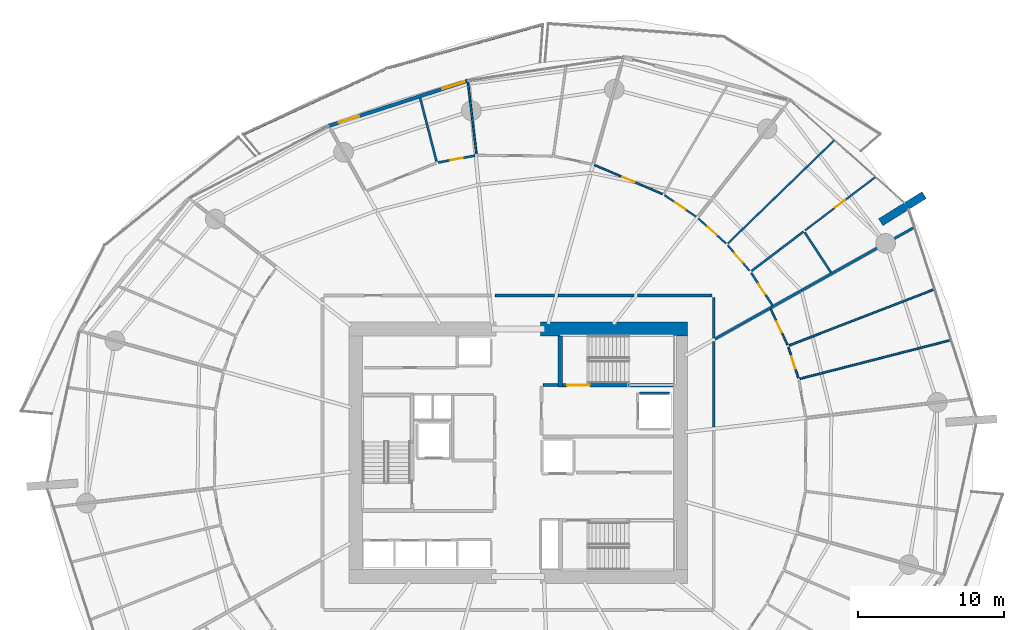
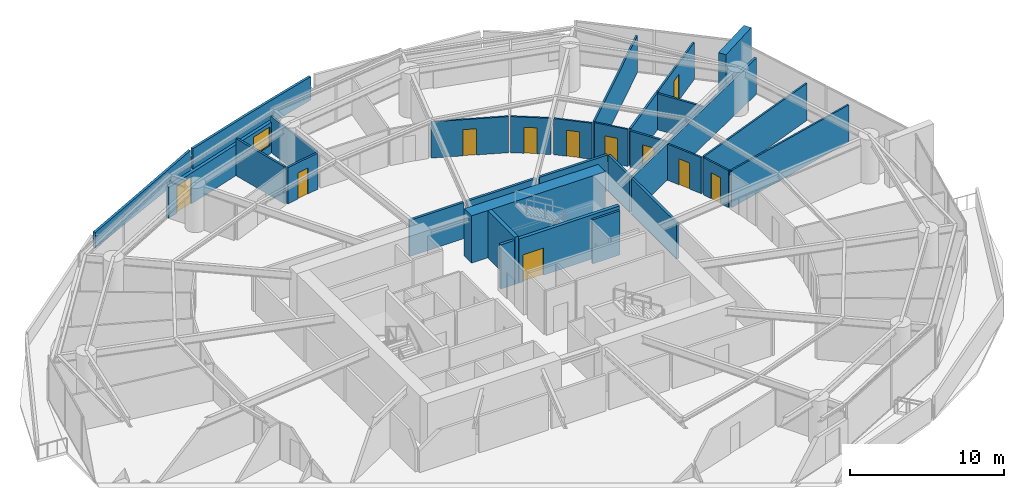
# One storey, part 23 of 31: 31 walls, 11 doors, 1 window, 12 openings.
"""IFC4 building model written with IfcOpenShell, lengths in metres."""

from ifc_helpers import new_model, si_unit, direction, frame, frame_2d, origin, place, context, subcontext, project, spatial, polyline, rectangle, outline, extrude, material, layer, layer_set, type_object, element, fill, save


model = new_model("IFC4")

# Units and contexts
model_context = context("Model", 3, precision=1e-05, world=origin(), true_north=direction((0.0, 1.0)))
body_context = subcontext(model_context, "Body", "Model", "MODEL_VIEW")
ifc_project = project(units=[si_unit("LENGTHUNIT", "METRE"), si_unit("AREAUNIT", "SQUARE_METRE"), si_unit("VOLUMEUNIT", "CUBIC_METRE"), si_unit("PLANEANGLEUNIT", "RADIAN"), si_unit("MASSUNIT", "GRAM", prefix="KILO")], contexts=[model_context])

# Site, building, storey
site_placement = place(None, origin())
site = spatial("IfcSite", under=ifc_project, at=site_placement, CompositionType="ELEMENT")
building_placement = place(site_placement, origin())
building = spatial("IfcBuilding", under=site, at=building_placement, Name="Kazma Halo Residences", CompositionType="ELEMENT")
storey_placement = place(building_placement, frame((0.0, 0.0, 33.89990234375)))
storey = spatial("IfcBuildingStorey", under=building, at=storey_placement, Name="L07", CompositionType="ELEMENT", Elevation=33.89990234375)

# Walls
ifc_material_1 = material(Name="White Concrete C50/60 Balustrade", Category="concrete")
ifc_layer_1 = layer(ifc_material_1, 0.179931640625)
ifc_layer_set_1 = layer_set([ifc_layer_1], Name="White Concrete C50/60 Balustrade")
wall_type_1 = type_object("IfcWallType", Name="WL-BAL-WAVE-180", PredefinedType="PARAPET", material=ifc_layer_set_1)
wall_1_placement = place(storey_placement, frame((50.125732421875, 71.298583984375, 0.0), z_axis=(0.0, 0.0, 1.0), x_axis=(-0.962607038131, -0.270901624471, 0.0)))
element("IfcWall", 1, at=wall_1_placement, inside=storey, type_object=wall_type_1, Name="L07 white wave balustrade wall NNW.1", PredefinedType="PARAPET", context=body_context, shape_type="SweptSolid", body=[
    extrude(outline(polyline([(0.0, 0.0), (10.964111328125, 0.0), (10.96435546875, 1.632080078125), (5.482177734375, 1.798095703125), (0.0, 1.860107421875), (0.0, 0.0)])), frame((0.0, 0.08984375, 0.0), z_axis=(0.0, -1.0, 0.0), x_axis=(1.0, 0.0, 0.0)), (0.0, 0.0, 1.0), 0.179931640625),
])
wall_2_placement = place(storey_placement, frame((39.346923828125, 68.24560546875, 0.0), z_axis=(0.0, 0.0, 1.0), x_axis=(-0.908702116292, -0.417445162681, 0.0)))
element("IfcWall", 2, at=wall_2_placement, inside=storey, type_object=wall_type_1, Name="L07 white wave balustrade wall NNW.2", PredefinedType="PARAPET", context=body_context, shape_type="SweptSolid", body=[
    extrude(outline(polyline([(0.0, 0.0), (10.69677734375, 0.0), (10.697021484375, 1.233154296875), (5.348388671875, 1.418212890625), (0.0, 1.632080078125), (0.0, 0.0)])), frame((0.0, 0.08984375, 0.0), z_axis=(0.0, -1.0, 0.0), x_axis=(1.0, 0.0, 0.0)), (0.0, 0.0, 1.0), 0.179931640625),
])
ifc_material_2 = material(Name="Pale Concrete C60/75", Category="concrete")
ifc_layer_2 = layer(ifc_material_2, 0.550048828125)
ifc_layer_set_2 = layer_set([ifc_layer_2], Name="Pale Concrete C60/75")
wall_type_2 = type_object("IfcWallType", Name="WL-BLADE-550", PredefinedType="SOLIDWALL", material=ifc_layer_set_2)
wall_3_placement = place(storey_placement, frame((73.229736328125, 57.765380859375, 0.0), z_axis=(0.0, 0.0, 1.0), x_axis=(0.848053161125, 0.529911158502, 0.0)))
element("IfcWall", 3, at=wall_3_placement, inside=storey, type_object=wall_type_2, Name="L07 pale concrete structural blade fin wall BW-01", PredefinedType="SOLIDWALL", context=body_context, shape_type="SweptSolid", body=[
    extrude(rectangle(XDim=3.5, YDim=0.550048828125, at=frame_2d((1.75, 0.0))), origin(), (0.0, 0.0, 1.0), 3.75),
])
ifc_material_3 = material(Name="Concrete C80/95", Category="concrete")
ifc_layer_3 = layer(ifc_material_3, 0.949951171875)
ifc_layer_set_3 = layer_set([ifc_layer_3], Name="Concrete C80/95")
wall_type_3 = type_object("IfcWallType", Name="WL-CORE-950", PredefinedType="SHEAR", material=ifc_layer_set_3)
wall_4_placement = place(storey_placement, frame((49.949951171875, 50.47509765625, 0.0), z_axis=(0.0, 0.0, 1.0), x_axis=(1.0, 0.0, 0.0)))
element("IfcWall", 4, at=wall_4_placement, inside=storey, type_object=wall_type_3, Name="L07 central core shear wall NE", PredefinedType="SHEAR", context=body_context, shape_type="SweptSolid", body=[
    extrude(rectangle(XDim=10.050048828125, YDim=0.949951171875, at=frame_2d((5.02490234375, 0.0))), origin(), (0.0, 0.0, 1.0), 3.75),
])
ifc_material_4 = material(Name="Concrete C60/75", Category="concrete")
ifc_layer_4 = layer(ifc_material_4, 0.280029296875)
ifc_layer_set_4 = layer_set([ifc_layer_4], Name="Concrete C60/75")
wall_type_4 = type_object("IfcWallType", Name="WL-CORE-ST-280", PredefinedType="SHEAR", material=ifc_layer_set_4)
wall_5_placement = place(storey_placement, frame((51.31005859375, 46.5, 0.0), z_axis=(0.0, 0.0, 1.0), x_axis=(0.0, 1.0, 0.0)))
element("IfcWall", 5, at=wall_5_placement, inside=storey, type_object=wall_type_4, Name="L07 stairwell bearing wall ST02-W", PredefinedType="SHEAR", context=body_context, shape_type="SweptSolid", body=[
    extrude(rectangle(XDim=3.5, YDim=0.280029296875, at=frame_2d((1.75, 0.0))), origin(), (0.0, 0.0, 1.0), 3.75),
])
ifc_material_5 = material(Name="Acoustic Twin-Stud Gypsum")
ifc_layer_5 = layer(ifc_material_5, 0.179931640625)
ifc_layer_set_5 = layer_set([ifc_layer_5], Name="Acoustic Twin-Stud Gypsum")
wall_type_5 = type_object("IfcWallType", Name="WL-DEM-180", PredefinedType="PARTITIONING", material=ifc_layer_set_5)
wall_6_placement = place(storey_placement, frame((61.89599609375, 49.781982421875, 0.0), z_axis=(0.0, 0.0, 1.0), x_axis=(0.872493215695, 0.488626225828, 0.0)))
element("IfcWall", 6, at=wall_6_placement, inside=storey, type_object=wall_type_5, Name="L07 apartment demising radial wall 00", PredefinedType="PARTITIONING", context=body_context, shape_type="SweptSolid", body=[
    extrude(rectangle(XDim=15.612060546875, YDim=0.179931640625, at=frame_2d((7.80615234375, 0.0))), origin(), (0.0, 0.0, 1.0), 2.8671875),
])
wall_7_placement = place(storey_placement, frame((61.800048828125, 49.848388671875, 0.0), z_axis=(0.0, 0.0, 1.0), x_axis=(0.0, 1.0, 0.0)))
element("IfcWall", 7, at=wall_7_placement, inside=storey, type_object=wall_type_5, Name="L07 Apartment 1 inner wall 0", PredefinedType="PARTITIONING", context=body_context, shape_type="SweptSolid", body=[
    extrude(rectangle(XDim=2.781494140625, YDim=0.179931640625, at=frame_2d((1.390625, 0.0))), origin(), (0.0, 0.0, 1.0), 2.8671875),
])
wall_8_placement = place(storey_placement, frame((61.679931640625, 52.75, 0.0), z_axis=(0.0, 0.0, 1.0), x_axis=(-1.0, 0.0, 0.0)))
element("IfcWall", 8, at=wall_8_placement, inside=storey, type_object=wall_type_5, Name="L07 Apartment 1 inner wall 0", PredefinedType="PARTITIONING", context=body_context, shape_type="SweptSolid", body=[
    extrude(rectangle(XDim=5.08544921875, YDim=0.179931640625, at=frame_2d((2.542724609375, 0.0))), origin(), (0.0, 0.0, 1.0), 2.8671875),
])
wall_9_placement = place(storey_placement, frame((56.3544921875, 52.75, 0.0), z_axis=(0.0, 0.0, 1.0), x_axis=(-1.0, 0.0, 0.0)))
element("IfcWall", 9, at=wall_9_placement, inside=storey, type_object=wall_type_5, Name="L07 Apartment 1 inner wall 1", PredefinedType="PARTITIONING", context=body_context, shape_type="SweptSolid", body=[
    extrude(rectangle(XDim=5.20263671875, YDim=0.179931640625, at=frame_2d((2.601318359375, 0.0))), origin(), (0.0, 0.0, 1.0), 2.8671875),
])
wall_10_placement = place(storey_placement, frame((50.911865234375, 52.75, 0.0), z_axis=(0.0, 0.0, 1.0), x_axis=(-1.0, 0.0, 0.0)))
element("IfcWall", 10, at=wall_10_placement, inside=storey, type_object=wall_type_5, Name="L07 Apartment 1 inner wall 2", PredefinedType="PARTITIONING", context=body_context, shape_type="SweptSolid", body=[
    extrude(rectangle(XDim=4.064208984375, YDim=0.179931640625, at=frame_2d((2.0322265625, 0.0))), origin(), (0.0, 0.0, 1.0), 2.8671875),
])
wall_11_placement = place(storey_placement, frame((61.800048828125, 43.75341796875, 0.0), z_axis=(0.0, 0.0, 1.0), x_axis=(0.0, 1.0, 0.0)))
element("IfcWall", 11, at=wall_11_placement, inside=storey, type_object=wall_type_5, Name="L07 Apartment 2 inner wall 15", PredefinedType="PARTITIONING", context=body_context, shape_type="SweptSolid", body=[
    extrude(rectangle(XDim=5.85498046875, YDim=0.179931640625, at=frame_2d((2.927490234375, 0.0))), origin(), (0.0, 0.0, 1.0), 2.8671875),
])

# Wall, openings, door, window
ifc_material_6 = material(Name="Insulated Pale-Metal Composite Wall")
ifc_layer_6 = layer(ifc_material_6, 0.239990234375)
ifc_layer_set_6 = layer_set([ifc_layer_6], Name="Insulated Pale-Metal Composite Wall")
wall_type_6 = type_object("IfcWallType", Name="WL-EXT-HOST-240", PredefinedType="SOLIDWALL", material=ifc_layer_set_6)
wall_12_placement = place(storey_placement, frame((45.0361328125, 67.45849609375, 0.0), z_axis=(0.0, 0.0, 1.0), x_axis=(-0.951054679225, -0.309022648238, 0.0)))
wall_12 = element("IfcWall", 12, at=wall_12_placement, inside=storey, type_object=wall_type_6, Name="L07 exterior terrace-access wall B04", PredefinedType="SOLIDWALL", context=body_context, shape_type="SweptSolid", body=[
    extrude(rectangle(XDim=10.0966796875, YDim=0.239990234375, at=frame_2d((5.04833984375, 0.0))), origin(), (0.0, 0.0, 1.0), 2.4501953125),
])
opening_1_placement = place(wall_12_placement, frame((7.876708984375, 0.0, 0.0)))
opening_1 = element("IfcOpeningElement", 13, at=opening_1_placement, cuts=wall_12, Name="Opening DTR-1600", PredefinedType="OPENING", context=body_context, shape_type="SweptSolid", body=[
    extrude(rectangle(XDim=1.449951171875, YDim=2.14990234375, at=frame_2d((0.72509765625, 1.074951171875))), frame((0.0, 0.1298828125, 0.0), z_axis=(0.0, -1.0, 0.0), x_axis=(1.0, 0.0, 0.0)), (0.0, 0.0, 1.0), 0.260009765625),
])
opening_2_placement = place(wall_12_placement, frame((0.280029296875, 0.0, 0.64990234375)))
opening_2 = element("IfcOpeningElement", 14, at=opening_2_placement, cuts=wall_12, Name="Opening W-1800", PredefinedType="OPENING", context=body_context, shape_type="SweptSolid", body=[
    extrude(rectangle(XDim=1.60009765625, YDim=1.5, at=frame_2d((0.800048828125, 0.75))), frame((0.0, 0.1298828125, 0.0), z_axis=(0.0, -1.0, 0.0), x_axis=(1.0, 0.0, 0.0)), (0.0, 0.0, 1.0), 0.260009765625),
])
ifc_material_7 = material(Name="Aluminium AW-6063 T6 Double-Glazed Terrace Door", Category="aluminium")
door_type_1 = type_object("IfcDoorType", Name="DR-EXT-TERR-1600", OperationType="NOTDEFINED", PredefinedType="DOOR", material=ifc_material_7)
door_1_placement = place(opening_1_placement, origin())
door_1 = element("IfcDoor", 15, at=door_1_placement, inside=storey, type_object=door_type_1, Name="L07 B04 balcony terrace door", OperationType="DOUBLE_DOOR_SLIDING", OverallHeight=2.14990234375, OverallWidth=1.449951171875, PredefinedType="DOOR", context=body_context, shape_type="SweptSolid", body=[
    extrude(rectangle(XDim=1.449951171875, YDim=2.14990234375, at=frame_2d((0.72509765625, 1.074951171875))), frame((0.0, 0.02490234375, 0.0), z_axis=(0.0, -1.0, 0.0), x_axis=(1.0, 0.0, 0.0)), (0.0, 0.0, 1.0), 0.050048828125),
])
fill(opening_1, door_1)
ifc_material_8 = material(Name="Clear Triple-Silver Low-E Glass in Aluminium AW-6063 T6 Frame", Category="aluminium")
window_type = type_object("IfcWindowType", Name="WIN-RES-1800", PartitioningType="DOUBLE_PANEL_VERTICAL", PredefinedType="WINDOW", material=ifc_material_8)
window_placement = place(opening_2_placement, origin())
window = element("IfcWindow", 16, at=window_placement, inside=storey, type_object=window_type, Name="L07 B04 apartment window", OverallHeight=1.5, OverallWidth=1.60009765625, PartitioningType="SINGLE_PANEL", PredefinedType="WINDOW", context=body_context, shape_type="SweptSolid", body=[
    extrude(rectangle(XDim=1.60009765625, YDim=1.5, at=frame_2d((0.800048828125, 0.75))), frame((0.0, 0.030029296875, 0.0), z_axis=(0.0, -1.0, 0.0), x_axis=(1.0, 0.0, 0.0)), (0.0, 0.0, 1.0), 0.06005859375),
])
fill(opening_2, window)

# Walls
ifc_material_9 = material(Name="Fire-Rated Blockwork Masonry", Category="masonry")
ifc_layer_7 = layer(ifc_material_9, 0.199951171875)
ifc_layer_set_7 = layer_set([ifc_layer_7], Name="Fire-Rated Blockwork Masonry")
wall_type_7 = type_object("IfcWallType", Name="WL-FLB-200", PredefinedType="PARTITIONING", material=ifc_layer_set_7)
wall_13_placement = place(storey_placement, frame((56.719970703125, 46.080078125, 0.0), z_axis=(0.0, 0.0, 1.0), x_axis=(1.0, 0.0, 0.0)))
element("IfcWall", 17, at=wall_13_placement, inside=storey, type_object=wall_type_7, Name="L07 lift shaft FL-02 side wall N", PredefinedType="PARTITIONING", context=body_context, shape_type="SweptSolid", body=[
    extrude(rectangle(XDim=2.06005859375, YDim=0.159912109375, at=frame_2d((1.030029296875, 0.0))), origin(), (0.0, 0.0, 1.0), 3.5),
])
wall_14_placement = place(storey_placement, frame((50.139892578125, 46.6201171875, 0.0), z_axis=(0.0, 0.0, 1.0), x_axis=(1.0, 0.0, 0.0)))
element("IfcWall", 18, at=wall_14_placement, inside=storey, type_object=wall_type_7, Name="L07 east firefighting lobby north closure wall", PredefinedType="PARTITIONING", context=body_context, shape_type="SweptSolid", body=[
    extrude(rectangle(XDim=1.02001953125, YDim=0.199951171875, at=frame_2d((0.510009765625, 0.0))), origin(), (0.0, 0.0, 1.0), 3.5),
])

# Wall, opening, door
ifc_material_10 = material(Name="Gypsum Plasterboard Partition")
ifc_layer_8 = layer(ifc_material_10, 0.125)
ifc_layer_set_8 = layer_set([ifc_layer_8], Name="Gypsum Plasterboard Partition")
wall_type_8 = type_object("IfcWallType", Name="WL-PART-125", PredefinedType="PARTITIONING", material=ifc_layer_set_8)
wall_15_placement = place(storey_placement, frame((68.051025390625, 57.203125, 0.0), z_axis=(0.0, 0.0, 1.0), x_axis=(0.796847589026, 0.604180370307, 0.0)))
wall_15 = element("IfcWall", 19, at=wall_15_placement, inside=storey, type_object=wall_type_8, Name="L07 Apartment 1 Utility Laundry Room partition wall", PredefinedType="PARTITIONING", context=body_context, shape_type="SweptSolid", body=[
    extrude(rectangle(XDim=6.01513671875, YDim=0.125, at=frame_2d((3.007568359375, 0.0))), origin(), (0.0, 0.0, 1.0), 2.940185546875),
])
opening_3_placement = place(wall_15_placement, frame((2.58251953125, 0.0, 0.0)))
opening_3 = element("IfcOpeningElement", 20, at=opening_3_placement, cuts=wall_15, Name="Opening DB-900", PredefinedType="OPENING", context=body_context, shape_type="SweptSolid", body=[
    extrude(rectangle(XDim=0.85009765625, YDim=2.06005859375, at=frame_2d((0.425048828125, 1.030029296875))), frame((0.0, 0.072509765625, 0.0), z_axis=(0.0, -1.0, 0.0), x_axis=(1.0, 0.0, 0.0)), (0.0, 0.0, 1.0), 0.14501953125),
])
ifc_material_11 = material(Name="Moisture-Sealed Timber Leaf", Category="wood")
door_type_2 = type_object("IfcDoorType", Name="DR-BTH-900", OperationType="NOTDEFINED", PredefinedType="DOOR", material=ifc_material_11)
door_2_placement = place(opening_3_placement, origin())
door_2 = element("IfcDoor", 21, at=door_2_placement, inside=storey, type_object=door_type_2, Name="L07 Apartment 1 Utility Laundry Room door", OperationType="SINGLE_SWING_LEFT", OverallHeight=2.06005859375, OverallWidth=0.85009765625, PredefinedType="DOOR", context=body_context, shape_type="SweptSolid", body=[
    extrude(rectangle(XDim=0.85009765625, YDim=2.06005859375, at=frame_2d((0.425048828125, 1.030029296875))), frame((0.0, 0.02490234375, 0.0), z_axis=(0.0, -1.0, 0.0), x_axis=(1.0, 0.0, 0.0)), (0.0, 0.0, 1.0), 0.050048828125),
])
fill(opening_3, door_2)

# Wall
wall_16_placement = place(storey_placement, frame((62.775146484375, 56.31591796875, 0.0), z_axis=(0.0, 0.0, 1.0), x_axis=(0.718182919159, 0.695854363088, 0.0)))
element("IfcWall", 22, at=wall_16_placement, inside=storey, type_object=wall_type_8, Name="L07 Apartment 1 suite divider 0", PredefinedType="PARTITIONING", context=body_context, shape_type="SweptSolid", body=[
    extrude(rectangle(XDim=10.114013671875, YDim=0.125, at=frame_2d((5.05712890625, 0.0))), origin(), (0.0, 0.0, 1.0), 2.940185546875),
])

# Wall, opening, door
wall_17_placement = place(storey_placement, frame((64.26318359375, 54.44384765625, 0.0), z_axis=(0.0, 0.0, 1.0), x_axis=(-0.651227570151, 0.758882502022, 0.0)))
wall_17 = element("IfcWall", 23, at=wall_17_placement, inside=storey, type_object=wall_type_8, Name="L07 Apartment 1 Gourmet Kitchen hall wall", PredefinedType="PARTITIONING", context=body_context, shape_type="SweptSolid", body=[
    extrude(rectangle(XDim=2.30419921875, YDim=0.125, at=frame_2d((1.152099609375, 0.0))), origin(), (0.0, 0.0, 1.0), 2.940185546875),
])
opening_4_placement = place(wall_17_placement, frame((0.72705078125, 0.0, 0.0)))
opening_4 = element("IfcOpeningElement", 24, at=opening_4_placement, cuts=wall_17, Name="Opening DB-900", PredefinedType="OPENING", context=body_context, shape_type="SweptSolid", body=[
    extrude(rectangle(XDim=0.85009765625, YDim=2.06005859375, at=frame_2d((0.425048828125, 1.030029296875))), frame((0.0, 0.072509765625, 0.0), z_axis=(0.0, -1.0, 0.0), x_axis=(1.0, 0.0, 0.0)), (0.0, 0.0, 1.0), 0.14501953125),
])
door_3_placement = place(opening_4_placement, origin())
door_3 = element("IfcDoor", 25, at=door_3_placement, inside=storey, type_object=door_type_2, Name="L07 Apartment 1 Gourmet Kitchen door", OperationType="SINGLE_SWING_RIGHT", OverallHeight=2.06005859375, OverallWidth=0.85009765625, PredefinedType="DOOR", context=body_context, shape_type="SweptSolid", body=[
    extrude(rectangle(XDim=0.85009765625, YDim=2.06005859375, at=frame_2d((0.425048828125, 1.030029296875))), frame((0.0, 0.02490234375, 0.0), z_axis=(0.0, -1.0, 0.0), x_axis=(1.0, 0.0, 0.0)), (0.0, 0.0, 1.0), 0.050048828125),
])
fill(opening_4, door_3)

wall_18_placement = place(storey_placement, frame((62.651123046875, 56.306884765625, 0.0), z_axis=(0.0, 0.0, 1.0), x_axis=(-0.742266720662, 0.670104555571, 0.0)))
wall_18 = element("IfcWall", 26, at=wall_18_placement, inside=storey, type_object=wall_type_8, Name="L07 Apartment 1 Primary Bedroom hall wall", PredefinedType="PARTITIONING", context=body_context, shape_type="SweptSolid", body=[
    extrude(rectangle(XDim=2.554443359375, YDim=0.125, at=frame_2d((1.27734375, 0.0))), origin(), (0.0, 0.0, 1.0), 2.8671875),
])
opening_5_placement = place(wall_18_placement, frame((0.852294921875, 0.0, 0.0)))
opening_5 = element("IfcOpeningElement", 27, at=opening_5_placement, cuts=wall_18, Name="Opening DB-900", PredefinedType="OPENING", context=body_context, shape_type="SweptSolid", body=[
    extrude(rectangle(XDim=0.85009765625, YDim=2.06005859375, at=frame_2d((0.425048828125, 1.030029296875))), frame((0.0, 0.072509765625, 0.0), z_axis=(0.0, -1.0, 0.0), x_axis=(1.0, 0.0, 0.0)), (0.0, 0.0, 1.0), 0.14501953125),
])
door_4_placement = place(opening_5_placement, origin())
door_4 = element("IfcDoor", 28, at=door_4_placement, inside=storey, type_object=door_type_2, Name="L07 Apartment 1 Primary Bedroom door", OperationType="SINGLE_SWING_LEFT", OverallHeight=2.06005859375, OverallWidth=0.85009765625, PredefinedType="DOOR", context=body_context, shape_type="SweptSolid", body=[
    extrude(rectangle(XDim=0.85009765625, YDim=2.06005859375, at=frame_2d((0.425048828125, 1.030029296875))), frame((0.0, 0.02490234375, 0.0), z_axis=(0.0, -1.0, 0.0), x_axis=(1.0, 0.0, 0.0)), (0.0, 0.0, 1.0), 0.050048828125),
])
fill(opening_5, door_4)

wall_19_placement = place(storey_placement, frame((60.598388671875, 58.14208984375, 0.0), z_axis=(0.0, 0.0, 1.0), x_axis=(-0.82573951311, 0.56405164346, 0.0)))
wall_19 = element("IfcWall", 29, at=wall_19_placement, inside=storey, type_object=wall_type_8, Name="L07 Apartment 1 East Wine Pantry Store hall wall", PredefinedType="PARTITIONING", context=body_context, shape_type="SweptSolid", body=[
    extrude(rectangle(XDim=2.616943359375, YDim=0.125, at=frame_2d((1.30859375, 0.0))), origin(), (0.0, 0.0, 1.0), 2.8671875),
])
opening_6_placement = place(wall_19_placement, frame((0.883544921875, 0.0, 0.0)))
opening_6 = element("IfcOpeningElement", 30, at=opening_6_placement, cuts=wall_19, Name="Opening DB-900", PredefinedType="OPENING", context=body_context, shape_type="SweptSolid", body=[
    extrude(rectangle(XDim=0.85009765625, YDim=2.06005859375, at=frame_2d((0.425048828125, 1.030029296875))), frame((0.0, 0.072509765625, 0.0), z_axis=(0.0, -1.0, 0.0), x_axis=(1.0, 0.0, 0.0)), (0.0, 0.0, 1.0), 0.14501953125),
])
door_5_placement = place(opening_6_placement, origin())
door_5 = element("IfcDoor", 31, at=door_5_placement, inside=storey, type_object=door_type_2, Name="L07 Apartment 1 East Wine Pantry Store door", OperationType="SINGLE_SWING_LEFT", OverallHeight=2.06005859375, OverallWidth=0.85009765625, PredefinedType="DOOR", context=body_context, shape_type="SweptSolid", body=[
    extrude(rectangle(XDim=0.85009765625, YDim=2.06005859375, at=frame_2d((0.425048828125, 1.030029296875))), frame((0.0, 0.02490234375, 0.0), z_axis=(0.0, -1.0, 0.0), x_axis=(1.0, 0.0, 0.0)), (0.0, 0.0, 1.0), 0.050048828125),
])
fill(opening_6, door_5)

wall_20_placement = place(storey_placement, frame((58.297607421875, 59.694580078125, 0.0), z_axis=(0.0, 0.0, 1.0), x_axis=(-0.919918404985, 0.392109841969, 0.0)))
wall_20 = element("IfcWall", 32, at=wall_20_placement, inside=storey, type_object=wall_type_8, Name="L07 Apartment 1 West Formal Dining Room hall wall", PredefinedType="PARTITIONING", context=body_context, shape_type="SweptSolid", body=[
    extrude(rectangle(XDim=5.05029296875, YDim=0.125, at=frame_2d((2.525146484375, 0.0))), origin(), (0.0, 0.0, 1.0), 2.8671875),
])
opening_7_placement = place(wall_20_placement, frame((2.0751953125, 0.0, 0.0)))
opening_7 = element("IfcOpeningElement", 33, at=opening_7_placement, cuts=wall_20, Name="Opening DI-950", PredefinedType="OPENING", context=body_context, shape_type="SweptSolid", body=[
    extrude(rectangle(XDim=0.89990234375, YDim=2.080078125, at=frame_2d((0.449951171875, 1.0400390625))), frame((0.0, 0.072509765625, 0.0), z_axis=(0.0, -1.0, 0.0), x_axis=(1.0, 0.0, 0.0)), (0.0, 0.0, 1.0), 0.14501953125),
])
ifc_material_12 = material(Name="Timber Veneer Flush Leaf", Category="wood")
door_type_3 = type_object("IfcDoorType", Name="DR-INT-950", OperationType="NOTDEFINED", PredefinedType="DOOR", material=ifc_material_12)
door_6_placement = place(opening_7_placement, origin())
door_6 = element("IfcDoor", 34, at=door_6_placement, inside=storey, type_object=door_type_3, Name="L07 Apartment 1 West Formal Dining Room door", OperationType="SINGLE_SWING_RIGHT", OverallHeight=2.080078125, OverallWidth=0.89990234375, PredefinedType="DOOR", context=body_context, shape_type="SweptSolid", body=[
    extrude(rectangle(XDim=0.89990234375, YDim=2.080078125, at=frame_2d((0.449951171875, 1.0400390625))), frame((0.0, 0.02490234375, 0.0), z_axis=(0.0, -1.0, 0.0), x_axis=(1.0, 0.0, 0.0)), (0.0, 0.0, 1.0), 0.050048828125),
])
fill(opening_7, door_6)

# Walls
wall_21_placement = place(storey_placement, frame((45.580810546875, 62.440185546875, 0.0), z_axis=(0.0, 0.0, 1.0), x_axis=(-0.117522242016, 0.993070250602, 0.0)))
element("IfcWall", 35, at=wall_21_placement, inside=storey, type_object=wall_type_8, Name="L07 Apartment 1 radial partition 3", PredefinedType="PARTITIONING", context=body_context, shape_type="SweptSolid", body=[
    extrude(rectangle(XDim=5.0126953125, YDim=0.125, at=frame_2d((2.50634765625, 0.0))), origin(), (0.0, 0.0, 1.0), 2.8671875),
])
wall_22_placement = place(storey_placement, frame((67.703857421875, 47.05908203125, 0.0), z_axis=(0.0, 0.0, 1.0), x_axis=(0.968581650893, 0.248695769071, 0.0)))
element("IfcWall", 36, at=wall_22_placement, inside=storey, type_object=wall_type_8, Name="L07 Apartment 2 bay wall 1 15", PredefinedType="PARTITIONING", context=body_context, shape_type="SweptSolid", body=[
    extrude(rectangle(XDim=10.650390625, YDim=0.125, at=frame_2d((5.3251953125, 0.0))), origin(), (0.0, 0.0, 1.0), 2.940185546875),
])
wall_23_placement = place(storey_placement, frame((66.97265625, 49.340087890625, 0.0), z_axis=(0.0, 0.0, 1.0), x_axis=(0.93264336061, 0.360799614621, 0.0)))
element("IfcWall", 37, at=wall_23_placement, inside=storey, type_object=wall_type_8, Name="L07 Apartment 2 bay wall 2 15", PredefinedType="PARTITIONING", context=body_context, shape_type="SweptSolid", body=[
    extrude(rectangle(XDim=10.6357421875, YDim=0.125, at=frame_2d((5.31787109375, 0.0))), origin(), (0.0, 0.0, 1.0), 2.940185546875),
])

# Wall, opening, door
wall_24_placement = place(storey_placement, frame((67.59228515625, 47.11279296875, 0.0), z_axis=(0.0, 0.0, 1.0), x_axis=(-0.305309270218, 0.952253248626, 0.0)))
wall_24 = element("IfcWall", 38, at=wall_24_placement, inside=storey, type_object=wall_type_8, Name="L07 Apartment 2 East Dressing Wardrobe hall wall", PredefinedType="PARTITIONING", context=body_context, shape_type="SweptSolid", body=[
    extrude(rectangle(XDim=2.224609375, YDim=0.125, at=frame_2d((1.1123046875, 0.0))), origin(), (0.0, 0.0, 1.0), 2.940185546875),
])
opening_8_placement = place(wall_24_placement, frame((0.687255859375, 0.0, 0.0)))
opening_8 = element("IfcOpeningElement", 39, at=opening_8_placement, cuts=wall_24, Name="Opening DB-900", PredefinedType="OPENING", context=body_context, shape_type="SweptSolid", body=[
    extrude(rectangle(XDim=0.85009765625, YDim=2.06005859375, at=frame_2d((0.425048828125, 1.030029296875))), frame((0.0, 0.072509765625, 0.0), z_axis=(0.0, -1.0, 0.0), x_axis=(1.0, 0.0, 0.0)), (0.0, 0.0, 1.0), 0.14501953125),
])
door_7_placement = place(opening_8_placement, origin())
door_7 = element("IfcDoor", 40, at=door_7_placement, inside=storey, type_object=door_type_2, Name="L07 Apartment 2 East Dressing Wardrobe door", OperationType="SINGLE_SWING_LEFT", OverallHeight=2.06005859375, OverallWidth=0.85009765625, PredefinedType="DOOR", context=body_context, shape_type="SweptSolid", body=[
    extrude(rectangle(XDim=0.85009765625, YDim=2.06005859375, at=frame_2d((0.425048828125, 1.030029296875))), frame((0.0, 0.02490234375, 0.0), z_axis=(0.0, -1.0, 0.0), x_axis=(1.0, 0.0, 0.0)), (0.0, 0.0, 1.0), 0.050048828125),
])
fill(opening_8, door_7)

wall_25_placement = place(storey_placement, frame((66.8544921875, 49.3798828125, 0.0), z_axis=(0.0, 0.0, 1.0), x_axis=(-0.425714313245, 0.904857626093, 0.0)))
wall_25 = element("IfcWall", 41, at=wall_25_placement, inside=storey, type_object=wall_type_8, Name="L07 Apartment 2 West Master Bedroom hall wall", PredefinedType="PARTITIONING", context=body_context, shape_type="SweptSolid", body=[
    extrude(rectangle(XDim=2.700439453125, YDim=0.125, at=frame_2d((1.35009765625, 0.0))), origin(), (0.0, 0.0, 1.0), 2.8671875),
])
opening_9_placement = place(wall_25_placement, frame((0.92529296875, 0.0, 0.0)))
opening_9 = element("IfcOpeningElement", 42, at=opening_9_placement, cuts=wall_25, Name="Opening DB-900", PredefinedType="OPENING", context=body_context, shape_type="SweptSolid", body=[
    extrude(rectangle(XDim=0.85009765625, YDim=2.06005859375, at=frame_2d((0.425048828125, 1.030029296875))), frame((0.0, 0.072509765625, 0.0), z_axis=(0.0, -1.0, 0.0), x_axis=(1.0, 0.0, 0.0)), (0.0, 0.0, 1.0), 0.14501953125),
])
door_8_placement = place(opening_9_placement, origin())
door_8 = element("IfcDoor", 43, at=door_8_placement, inside=storey, type_object=door_type_2, Name="L07 Apartment 2 West Master Bedroom door", OperationType="SINGLE_SWING_RIGHT", OverallHeight=2.06005859375, OverallWidth=0.85009765625, PredefinedType="DOOR", context=body_context, shape_type="SweptSolid", body=[
    extrude(rectangle(XDim=0.85009765625, YDim=2.06005859375, at=frame_2d((0.425048828125, 1.030029296875))), frame((0.0, 0.02490234375, 0.0), z_axis=(0.0, -1.0, 0.0), x_axis=(1.0, 0.0, 0.0)), (0.0, 0.0, 1.0), 0.050048828125),
])
fill(opening_9, door_8)

ifc_material_13 = material(Name="Concrete C50/60", Category="concrete")
ifc_layer_9 = layer(ifc_material_13, 0.25)
ifc_layer_set_9 = layer_set([ifc_layer_9], Name="Concrete C50/60")
wall_type_9 = type_object("IfcWallType", Name="WL-SHF-250", PredefinedType="SOLIDWALL", material=ifc_layer_set_9)
wall_26_placement = place(storey_placement, frame((51.47998046875, 46.6201171875, 0.0), z_axis=(0.0, 0.0, 1.0), x_axis=(1.0, 0.0, 0.0)))
wall_26 = element("IfcWall", 44, at=wall_26_placement, inside=storey, type_object=wall_type_9, Name="L07 exit stair ST-02 enclosure wall", PredefinedType="SOLIDWALL", context=body_context, shape_type="SweptSolid", body=[
    extrude(rectangle(XDim=7.5400390625, YDim=0.25, at=frame_2d((3.77001953125, 0.0))), origin(), (0.0, 0.0, 1.0), 3.5),
])
opening_10_placement = place(wall_26_placement, frame((0.300048828125, 0.0, 0.0)))
opening_10 = element("IfcOpeningElement", 45, at=opening_10_placement, cuts=wall_26, Name="Opening D-ST2", PredefinedType="OPENING", context=body_context, shape_type="SweptSolid", body=[
    extrude(rectangle(XDim=1.550048828125, YDim=2.14990234375, at=frame_2d((0.77490234375, 1.074951171875))), frame((0.0, 0.135009765625, 0.0), z_axis=(0.0, -1.0, 0.0), x_axis=(1.0, 0.0, 0.0)), (0.0, 0.0, 1.0), 0.27001953125),
])
ifc_material_14 = material(Name="Fire-Rated Double Steel Leaf", Category="steel")
door_type_4 = type_object("IfcDoorType", Name="DR-FD90-1550", OperationType="NOTDEFINED", PredefinedType="DOOR", material=ifc_material_14)
door_9_placement = place(opening_10_placement, origin())
door_9 = element("IfcDoor", 46, at=door_9_placement, inside=storey, type_object=door_type_4, Name="L07 exit stair ST-02 fire door", OperationType="DOUBLE_DOOR_SINGLE_SWING", OverallHeight=2.14990234375, OverallWidth=1.550048828125, PredefinedType="DOOR", context=body_context, shape_type="SweptSolid", body=[
    extrude(rectangle(XDim=1.550048828125, YDim=2.14990234375, at=frame_2d((0.77490234375, 1.074951171875))), frame((0.0, 0.02490234375, 0.0), z_axis=(0.0, -1.0, 0.0), x_axis=(1.0, 0.0, 0.0)), (0.0, 0.0, 1.0), 0.050048828125),
])
fill(opening_10, door_9)

ifc_material_15 = material(Name="Moisture-Resistant Gypsum")
ifc_layer_10 = layer(ifc_material_15, 0.14990234375)
ifc_layer_set_10 = layer_set([ifc_layer_10], Name="Moisture-Resistant Gypsum")
wall_type_10 = type_object("IfcWallType", Name="WL-WET-150", PredefinedType="PARTITIONING", material=ifc_layer_set_10)
wall_27_placement = place(storey_placement, frame((65.81640625, 52.092041015625, 0.0), z_axis=(0.0, 0.0, 1.0), x_axis=(-0.547635625156, 0.836716930664, 0.0)))
wall_27 = element("IfcWall", 47, at=wall_27_placement, inside=storey, type_object=wall_type_10, Name="L07 Apartment 1 Guest Bathroom hall wall", PredefinedType="PARTITIONING", context=body_context, shape_type="SweptSolid", body=[
    extrude(rectangle(XDim=2.63916015625, YDim=0.14990234375, at=frame_2d((1.319580078125, 0.0))), origin(), (0.0, 0.0, 1.0), 2.8671875),
])
opening_11_placement = place(wall_27_placement, frame((0.89453125, 0.0, 0.0)))
opening_11 = element("IfcOpeningElement", 48, at=opening_11_placement, cuts=wall_27, Name="Opening DB-900", PredefinedType="OPENING", context=body_context, shape_type="SweptSolid", body=[
    extrude(rectangle(XDim=0.85009765625, YDim=2.06005859375, at=frame_2d((0.425048828125, 1.030029296875))), frame((0.0, 0.0849609375, 0.0), z_axis=(0.0, -1.0, 0.0), x_axis=(1.0, 0.0, 0.0)), (0.0, 0.0, 1.0), 0.169921875),
])
door_10_placement = place(opening_11_placement, origin())
door_10 = element("IfcDoor", 49, at=door_10_placement, inside=storey, type_object=door_type_2, Name="L07 Apartment 1 Guest Bathroom door", OperationType="SINGLE_SWING_RIGHT", OverallHeight=2.06005859375, OverallWidth=0.85009765625, PredefinedType="DOOR", context=body_context, shape_type="SweptSolid", body=[
    extrude(rectangle(XDim=0.85009765625, YDim=2.06005859375, at=frame_2d((0.425048828125, 1.030029296875))), frame((0.0, 0.02490234375, 0.0), z_axis=(0.0, -1.0, 0.0), x_axis=(1.0, 0.0, 0.0)), (0.0, 0.0, 1.0), 0.050048828125),
])
fill(opening_11, door_10)

# Walls
wall_28_placement = place(storey_placement, frame((69.8212890625, 54.3349609375, 0.0), z_axis=(0.0, 0.0, 1.0), x_axis=(-0.547709492592, 0.836668579382, 0.0)))
element("IfcWall", 50, at=wall_28_placement, inside=storey, type_object=wall_type_10, Name="L07 Apartment 1 Guest Bathroom back wall", PredefinedType="PARTITIONING", context=body_context, shape_type="SweptSolid", body=[
    extrude(rectangle(XDim=3.273193359375, YDim=0.14990234375, at=frame_2d((1.63671875, 0.0))), origin(), (0.0, 0.0, 1.0), 2.8671875),
])
wall_29_placement = place(storey_placement, frame((64.3935546875, 54.429931640625, 0.0), z_axis=(0.0, 0.0, 1.0), x_axis=(0.796855751732, 0.604169604442, 0.0)))
element("IfcWall", 51, at=wall_29_placement, inside=storey, type_object=wall_type_10, Name="L07 Apartment 1 Guest Bathroom side wall", PredefinedType="PARTITIONING", context=body_context, shape_type="SweptSolid", body=[
    extrude(rectangle(XDim=4.4599609375, YDim=0.14990234375, at=frame_2d((2.22998046875, 0.0))), origin(), (0.0, 0.0, 1.0), 2.940185546875),
])

# Wall, opening, door
wall_30_placement = place(storey_placement, frame((45.494140625, 62.322509765625, 0.0), z_axis=(0.0, 0.0, 1.0), x_axis=(-0.982882919375, -0.184231286161, 0.0)))
wall_30 = element("IfcWall", 52, at=wall_30_placement, inside=storey, type_object=wall_type_10, Name="L07 Apartment 1 Inner En-Suite Bathroom hall wall", PredefinedType="PARTITIONING", context=body_context, shape_type="SweptSolid", body=[
    extrude(rectangle(XDim=2.574951171875, YDim=0.14990234375, at=frame_2d((1.28759765625, 0.0))), origin(), (0.0, 0.0, 1.0), 2.8671875),
])
opening_12_placement = place(wall_30_placement, frame((0.8623046875, 0.0, 0.0)))
opening_12 = element("IfcOpeningElement", 53, at=opening_12_placement, cuts=wall_30, Name="Opening DB-900", PredefinedType="OPENING", context=body_context, shape_type="SweptSolid", body=[
    extrude(rectangle(XDim=0.85009765625, YDim=2.06005859375, at=frame_2d((0.425048828125, 1.030029296875))), frame((0.0, 0.0849609375, 0.0), z_axis=(0.0, -1.0, 0.0), x_axis=(1.0, 0.0, 0.0)), (0.0, 0.0, 1.0), 0.169921875),
])
door_11_placement = place(opening_12_placement, origin())
door_11 = element("IfcDoor", 54, at=door_11_placement, inside=storey, type_object=door_type_2, Name="L07 Apartment 1 Inner En-Suite Bathroom door", OperationType="SINGLE_SWING_LEFT", OverallHeight=2.06005859375, OverallWidth=0.85009765625, PredefinedType="DOOR", context=body_context, shape_type="SweptSolid", body=[
    extrude(rectangle(XDim=0.85009765625, YDim=2.06005859375, at=frame_2d((0.425048828125, 1.030029296875))), frame((0.0, 0.02490234375, 0.0), z_axis=(0.0, -1.0, 0.0), x_axis=(1.0, 0.0, 0.0)), (0.0, 0.0, 1.0), 0.050048828125),
])
fill(opening_12, door_11)

# Wall
wall_31_placement = place(storey_placement, frame((42.852294921875, 61.918701171875, 0.0), z_axis=(0.0, 0.0, 1.0), x_axis=(-0.250174852853, 0.968200672898, 0.0)))
element("IfcWall", 55, at=wall_31_placement, inside=storey, type_object=wall_type_10, Name="L07 Apartment 1 Inner En-Suite Bathroom side wall", PredefinedType="PARTITIONING", context=body_context, shape_type="SweptSolid", body=[
    extrude(rectangle(XDim=4.477294921875, YDim=0.14990234375, at=frame_2d((2.23876953125, 0.0))), origin(), (0.0, 0.0, 1.0), 2.940185546875),
])

save(model, "model.ifc")
